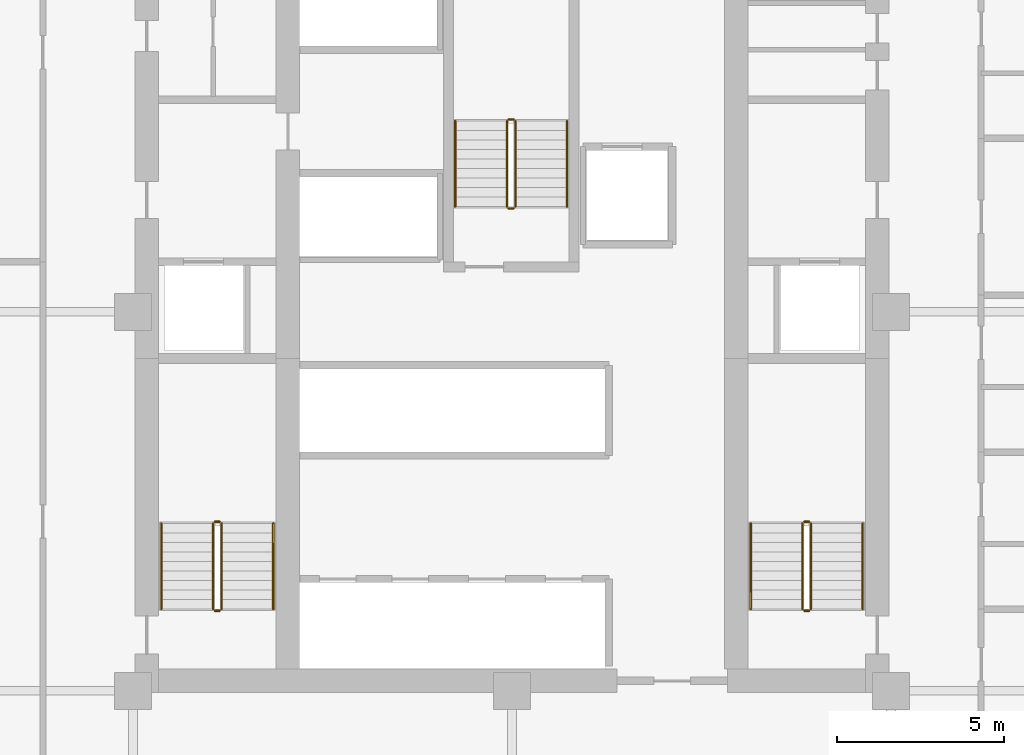
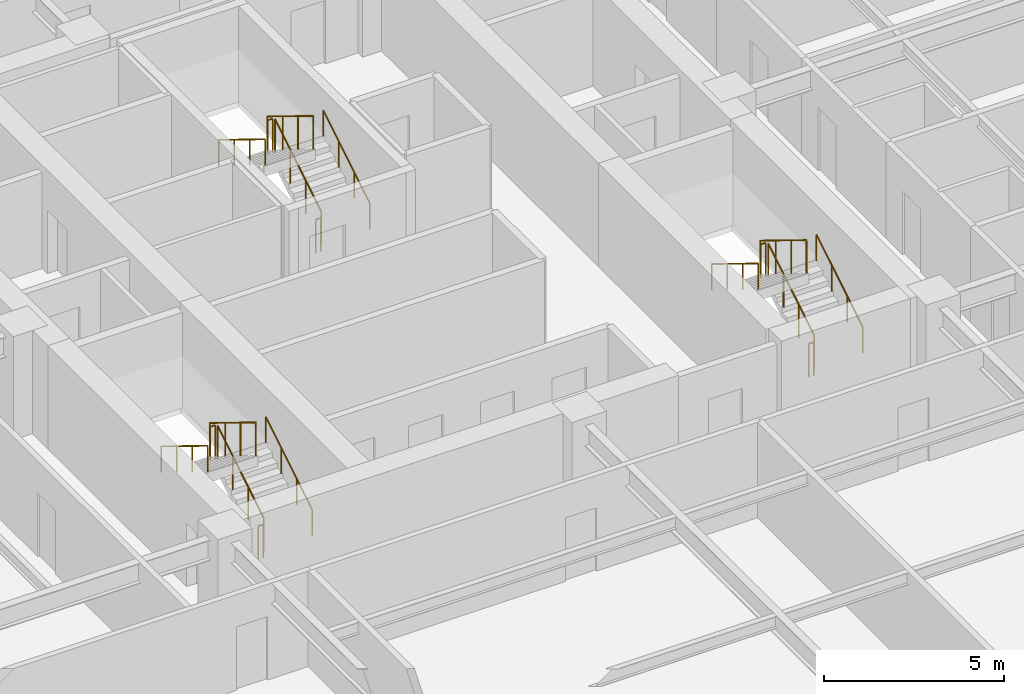
# One storey, part 7 of 7: 18 railings.
"""IFC4 building model written with IfcOpenShell, lengths in metres."""

from ifc_helpers import new_model, si_unit, direction, frame, origin, origin_2d, place, context, subcontext, project, spatial, circle, extrude, material, type_object, element, save


model = new_model("IFC4")

# Units and contexts
model_context = context("Model", 3, precision=1e-05, world=origin(), true_north=direction((0.0, 1.0)))
body_context = subcontext(model_context, "Body", "Model", "MODEL_VIEW")
ifc_project = project(units=[si_unit("LENGTHUNIT", "METRE"), si_unit("AREAUNIT", "SQUARE_METRE"), si_unit("VOLUMEUNIT", "CUBIC_METRE"), si_unit("PLANEANGLEUNIT", "RADIAN"), si_unit("MASSUNIT", "GRAM", prefix="KILO")], contexts=[model_context])

# Site, building, storey
site_placement = place(None, origin())
site = spatial("IfcSite", under=ifc_project, at=site_placement, CompositionType="ELEMENT")
building_placement = place(site_placement, origin())
building = spatial("IfcBuilding", under=site, at=building_placement, Name="Nhamokura Convention Tower", CompositionType="ELEMENT")
storey_placement = place(building_placement, frame((0.0, 0.0, 73.85009765625)))
storey = spatial("IfcBuildingStorey", under=building, at=storey_placement, Name="L17", CompositionType="ELEMENT", Elevation=73.85009765625)

# Railings
ifc_material_1 = material(Name="Anodised bronze stainless steel", Category="steel")
railing_type_1 = type_object("IfcRailingType", Name="StairWallHandrail_900", PredefinedType="HANDRAIL", material=ifc_material_1)
railing_1_placement = place(storey_placement, frame((24.85009765625, 23.10009765625, 0.1748046875)))
element("IfcRailing", 1, at=railing_1_placement, inside=storey, type_object=railing_type_1, Name="L17 ST-01 stair handrail 1", PredefinedType="HANDRAIL", context=body_context, shape_type="SweptSolid", body=[
    extrude(circle(Radius=0.02392578125, at=origin_2d()), frame((0.0, 0.0, 0.8759765625), z_axis=(0.0, 0.85213695991, 0.523318833556), x_axis=(-1.0, 0.0, 0.0)), (0.0, 0.0, 1.0), 3.010009765625),
    extrude(circle(Radius=0.02099609375, at=origin_2d()), origin(), (0.0, 0.0, 1.0), 0.851806640625),
    extrude(circle(Radius=0.02099609375, at=origin_2d()), frame((0.0, 0.85498046875, 0.525146484375)), (0.0, 0.0, 1.0), 0.851806640625),
    extrude(circle(Radius=0.02099609375, at=origin_2d()), frame((0.0, 1.7099609375, 1.050048828125)), (0.0, 0.0, 1.0), 0.851806640625),
    extrude(circle(Radius=0.02099609375, at=origin_2d()), frame((0.0, 2.56494140625, 1.5751953125)), (0.0, 0.0, 1.0), 0.851806640625),
])
railing_2_placement = place(storey_placement, frame((21.5, 25.6650390625, 1.9248046875)))
element("IfcRailing", 2, at=railing_2_placement, inside=storey, type_object=railing_type_1, Name="L17 ST-01 stair handrail 2", PredefinedType="HANDRAIL", context=body_context, shape_type="SweptSolid", body=[
    extrude(circle(Radius=0.02392578125, at=origin_2d()), frame((0.0, 0.0, 0.8759765625), z_axis=(0.0, -0.85213695991, 0.523318833556), x_axis=(1.0, 0.0, 0.0)), (0.0, 0.0, 1.0), 3.010009765625),
    extrude(circle(Radius=0.02099609375, at=origin_2d()), origin(), (0.0, 0.0, 1.0), 0.851806640625),
    extrude(circle(Radius=0.02099609375, at=origin_2d()), frame((0.0, -0.85498046875, 0.525146484375)), (0.0, 0.0, 1.0), 0.851806640625),
    extrude(circle(Radius=0.02099609375, at=origin_2d()), frame((0.0, -1.7099609375, 1.050048828125)), (0.0, 0.0, 1.0), 0.851806640625),
    extrude(circle(Radius=0.02099609375, at=origin_2d()), frame((0.0, -2.56494140625, 1.5751953125)), (0.0, 0.0, 1.0), 0.851806640625),
])
railing_3_placement = place(storey_placement, frame((42.5, 23.10009765625, 0.1748046875)))
element("IfcRailing", 3, at=railing_3_placement, inside=storey, type_object=railing_type_1, Name="L17 ST-02 stair handrail 1", PredefinedType="HANDRAIL", context=body_context, shape_type="SweptSolid", body=[
    extrude(circle(Radius=0.02392578125, at=origin_2d()), frame((0.0, 0.0, 0.8759765625), z_axis=(0.0, 0.85213695991, 0.523318833556), x_axis=(-1.0, 0.0, 0.0)), (0.0, 0.0, 1.0), 3.010009765625),
    extrude(circle(Radius=0.02099609375, at=origin_2d()), origin(), (0.0, 0.0, 1.0), 0.851806640625),
    extrude(circle(Radius=0.02099609375, at=origin_2d()), frame((0.0, 0.85498046875, 0.525146484375)), (0.0, 0.0, 1.0), 0.851806640625),
    extrude(circle(Radius=0.02099609375, at=origin_2d()), frame((0.0, 1.7099609375, 1.050048828125)), (0.0, 0.0, 1.0), 0.851806640625),
    extrude(circle(Radius=0.02099609375, at=origin_2d()), frame((0.0, 2.56494140625, 1.5751953125)), (0.0, 0.0, 1.0), 0.851806640625),
])
railing_4_placement = place(storey_placement, frame((39.14990234375, 25.6650390625, 1.9248046875)))
element("IfcRailing", 4, at=railing_4_placement, inside=storey, type_object=railing_type_1, Name="L17 ST-02 stair handrail 2", PredefinedType="HANDRAIL", context=body_context, shape_type="SweptSolid", body=[
    extrude(circle(Radius=0.02392578125, at=origin_2d()), frame((0.0, 0.0, 0.8759765625), z_axis=(0.0, -0.85213695991, 0.523318833556), x_axis=(1.0, 0.0, 0.0)), (0.0, 0.0, 1.0), 3.010009765625),
    extrude(circle(Radius=0.02099609375, at=origin_2d()), origin(), (0.0, 0.0, 1.0), 0.851806640625),
    extrude(circle(Radius=0.02099609375, at=origin_2d()), frame((0.0, -0.85498046875, 0.525146484375)), (0.0, 0.0, 1.0), 0.851806640625),
    extrude(circle(Radius=0.02099609375, at=origin_2d()), frame((0.0, -1.7099609375, 1.050048828125)), (0.0, 0.0, 1.0), 0.851806640625),
    extrude(circle(Radius=0.02099609375, at=origin_2d()), frame((0.0, -2.56494140625, 1.5751953125)), (0.0, 0.0, 1.0), 0.851806640625),
])
railing_5_placement = place(storey_placement, frame((33.64990234375, 35.14990234375, 0.1748046875)))
element("IfcRailing", 5, at=railing_5_placement, inside=storey, type_object=railing_type_1, Name="L17 ST-03 stair handrail 1", PredefinedType="HANDRAIL", context=body_context, shape_type="SweptSolid", body=[
    extrude(circle(Radius=0.02392578125, at=origin_2d()), frame((0.0, 0.0, 0.8759765625), z_axis=(0.0, 0.852159170481, 0.523282665646), x_axis=(-1.0, 0.0, 0.0)), (0.0, 0.0, 1.0), 3.01025390625),
    extrude(circle(Radius=0.02099609375, at=origin_2d()), origin(), (0.0, 0.0, 1.0), 0.851806640625),
    extrude(circle(Radius=0.02099609375, at=origin_2d()), frame((0.0, 0.85498046875, 0.525146484375)), (0.0, 0.0, 1.0), 0.851806640625),
    extrude(circle(Radius=0.02099609375, at=origin_2d()), frame((0.0, 1.710205078125, 1.050048828125)), (0.0, 0.0, 1.0), 0.851806640625),
    extrude(circle(Radius=0.02099609375, at=origin_2d()), frame((0.0, 2.565185546875, 1.5751953125)), (0.0, 0.0, 1.0), 0.851806640625),
])
railing_6_placement = place(storey_placement, frame((30.300048828125, 37.715087890625, 1.9248046875)))
element("IfcRailing", 6, at=railing_6_placement, inside=storey, type_object=railing_type_1, Name="L17 ST-03 stair handrail 2", PredefinedType="HANDRAIL", context=body_context, shape_type="SweptSolid", body=[
    extrude(circle(Radius=0.02392578125, at=origin_2d()), frame((0.0, 0.0, 0.8759765625), z_axis=(0.0, -0.852159170481, 0.523282665646), x_axis=(1.0, 0.0, 0.0)), (0.0, 0.0, 1.0), 3.01025390625),
    extrude(circle(Radius=0.02099609375, at=origin_2d()), origin(), (0.0, 0.0, 1.0), 0.851806640625),
    extrude(circle(Radius=0.02099609375, at=origin_2d()), frame((0.0, -0.85498046875, 0.525146484375)), (0.0, 0.0, 1.0), 0.851806640625),
    extrude(circle(Radius=0.02099609375, at=origin_2d()), frame((0.0, -1.710205078125, 1.050048828125)), (0.0, 0.0, 1.0), 0.851806640625),
    extrude(circle(Radius=0.02099609375, at=origin_2d()), frame((0.0, -2.565185546875, 1.5751953125)), (0.0, 0.0, 1.0), 0.851806640625),
])
ifc_material_2 = material(Name="Painted tubular steel", Category="steel")
railing_type_2 = type_object("IfcRailingType", Name="StairWellGuardrail_1150", PredefinedType="GUARDRAIL", material=ifc_material_2)
railing_7_placement = place(storey_placement, frame((23.300048828125, 23.10009765625, 0.1748046875)))
element("IfcRailing", 7, at=railing_7_placement, inside=storey, type_object=railing_type_2, Name="L17 ST-01 stair guard 1", PredefinedType="GUARDRAIL", context=body_context, shape_type="SweptSolid", body=[
    extrude(circle(Radius=0.02392578125, at=origin_2d()), frame((0.0, 0.0, 1.1259765625), z_axis=(0.0, 0.85213695991, 0.523318833556), x_axis=(-1.0, 0.0, 0.0)), (0.0, 0.0, 1.0), 3.010009765625),
    extrude(circle(Radius=0.02099609375, at=origin_2d()), origin(), (0.0, 0.0, 1.0), 1.101806640625),
    extrude(circle(Radius=0.02099609375, at=origin_2d()), frame((0.0, 0.85498046875, 0.525146484375)), (0.0, 0.0, 1.0), 1.101806640625),
    extrude(circle(Radius=0.02099609375, at=origin_2d()), frame((0.0, 1.7099609375, 1.050048828125)), (0.0, 0.0, 1.0), 1.101806640625),
    extrude(circle(Radius=0.02099609375, at=origin_2d()), frame((0.0, 2.56494140625, 1.5751953125)), (0.0, 0.0, 1.0), 1.101806640625),
])
railing_8_placement = place(storey_placement, frame((23.25, 25.715087890625, 1.75)))
element("IfcRailing", 8, at=railing_8_placement, inside=storey, type_object=railing_type_2, Name="L17 ST-01 stair guard 2", PredefinedType="GUARDRAIL", context=body_context, shape_type="SweptSolid", body=[
    extrude(circle(Radius=0.02392578125, at=origin_2d()), frame((0.0, 0.0, 1.1259765625), z_axis=(-1.0, 0.0, 0.0), x_axis=(0.0, -1.0, 0.0)), (0.0, 0.0, 1.0), 0.14990234375),
    extrude(circle(Radius=0.02099609375, at=origin_2d()), origin(), (0.0, 0.0, 1.0), 1.101806640625),
    extrude(circle(Radius=0.02099609375, at=origin_2d()), frame((-0.14990234375, 0.0, 0.0)), (0.0, 0.0, 1.0), 1.101806640625),
])
railing_9_placement = place(storey_placement, frame((23.050048828125, 25.6650390625, 1.9248046875)))
element("IfcRailing", 9, at=railing_9_placement, inside=storey, type_object=railing_type_2, Name="L17 ST-01 stair guard 3", PredefinedType="GUARDRAIL", context=body_context, shape_type="SweptSolid", body=[
    extrude(circle(Radius=0.02392578125, at=origin_2d()), frame((0.0, 0.0, 1.1259765625), z_axis=(0.0, -0.85213695991, 0.523318833556), x_axis=(1.0, 0.0, 0.0)), (0.0, 0.0, 1.0), 3.010009765625),
    extrude(circle(Radius=0.02099609375, at=origin_2d()), origin(), (0.0, 0.0, 1.0), 1.101806640625),
    extrude(circle(Radius=0.02099609375, at=origin_2d()), frame((0.0, -0.85498046875, 0.525146484375)), (0.0, 0.0, 1.0), 1.101806640625),
    extrude(circle(Radius=0.02099609375, at=origin_2d()), frame((0.0, -1.7099609375, 1.050048828125)), (0.0, 0.0, 1.0), 1.101806640625),
    extrude(circle(Radius=0.02099609375, at=origin_2d()), frame((0.0, -2.56494140625, 1.5751953125)), (0.0, 0.0, 1.0), 1.101806640625),
])
railing_10_placement = place(storey_placement, frame((23.25, 23.050048828125, 0.0)))
element("IfcRailing", 10, at=railing_10_placement, inside=storey, type_object=railing_type_2, Name="L17 ST-01 stair guard 4", PredefinedType="GUARDRAIL", context=body_context, shape_type="SweptSolid", body=[
    extrude(circle(Radius=0.02392578125, at=origin_2d()), frame((0.0, 0.0, 1.1259765625), z_axis=(-1.0, 0.0, 0.0), x_axis=(0.0, -1.0, 0.0)), (0.0, 0.0, 1.0), 0.14990234375),
    extrude(circle(Radius=0.02099609375, at=origin_2d()), origin(), (0.0, 0.0, 1.0), 1.101806640625),
    extrude(circle(Radius=0.02099609375, at=origin_2d()), frame((-0.14990234375, 0.0, 0.0)), (0.0, 0.0, 1.0), 1.101806640625),
])
railing_11_placement = place(storey_placement, frame((40.949951171875, 23.10009765625, 0.1748046875)))
element("IfcRailing", 11, at=railing_11_placement, inside=storey, type_object=railing_type_2, Name="L17 ST-02 stair guard 1", PredefinedType="GUARDRAIL", context=body_context, shape_type="SweptSolid", body=[
    extrude(circle(Radius=0.02392578125, at=origin_2d()), frame((0.0, 0.0, 1.1259765625), z_axis=(0.0, 0.85213695991, 0.523318833556), x_axis=(-1.0, 0.0, 0.0)), (0.0, 0.0, 1.0), 3.010009765625),
    extrude(circle(Radius=0.02099609375, at=origin_2d()), origin(), (0.0, 0.0, 1.0), 1.101806640625),
    extrude(circle(Radius=0.02099609375, at=origin_2d()), frame((0.0, 0.85498046875, 0.525146484375)), (0.0, 0.0, 1.0), 1.101806640625),
    extrude(circle(Radius=0.02099609375, at=origin_2d()), frame((0.0, 1.7099609375, 1.050048828125)), (0.0, 0.0, 1.0), 1.101806640625),
    extrude(circle(Radius=0.02099609375, at=origin_2d()), frame((0.0, 2.56494140625, 1.5751953125)), (0.0, 0.0, 1.0), 1.101806640625),
])
railing_12_placement = place(storey_placement, frame((40.89990234375, 25.715087890625, 1.75)))
element("IfcRailing", 12, at=railing_12_placement, inside=storey, type_object=railing_type_2, Name="L17 ST-02 stair guard 2", PredefinedType="GUARDRAIL", context=body_context, shape_type="SweptSolid", body=[
    extrude(circle(Radius=0.02392578125, at=origin_2d()), frame((0.0, 0.0, 1.1259765625), z_axis=(-1.0, 0.0, 0.0), x_axis=(0.0, -1.0, 0.0)), (0.0, 0.0, 1.0), 0.14990234375),
    extrude(circle(Radius=0.02099609375, at=origin_2d()), origin(), (0.0, 0.0, 1.0), 1.101806640625),
    extrude(circle(Radius=0.02099609375, at=origin_2d()), frame((-0.14990234375, 0.0, 0.0)), (0.0, 0.0, 1.0), 1.101806640625),
])
railing_13_placement = place(storey_placement, frame((40.699951171875, 25.6650390625, 1.9248046875)))
element("IfcRailing", 13, at=railing_13_placement, inside=storey, type_object=railing_type_2, Name="L17 ST-02 stair guard 3", PredefinedType="GUARDRAIL", context=body_context, shape_type="SweptSolid", body=[
    extrude(circle(Radius=0.02392578125, at=origin_2d()), frame((0.0, 0.0, 1.1259765625), z_axis=(0.0, -0.85213695991, 0.523318833556), x_axis=(1.0, 0.0, 0.0)), (0.0, 0.0, 1.0), 3.010009765625),
    extrude(circle(Radius=0.02099609375, at=origin_2d()), origin(), (0.0, 0.0, 1.0), 1.101806640625),
    extrude(circle(Radius=0.02099609375, at=origin_2d()), frame((0.0, -0.85498046875, 0.525146484375)), (0.0, 0.0, 1.0), 1.101806640625),
    extrude(circle(Radius=0.02099609375, at=origin_2d()), frame((0.0, -1.7099609375, 1.050048828125)), (0.0, 0.0, 1.0), 1.101806640625),
    extrude(circle(Radius=0.02099609375, at=origin_2d()), frame((0.0, -2.56494140625, 1.5751953125)), (0.0, 0.0, 1.0), 1.101806640625),
])
railing_14_placement = place(storey_placement, frame((40.89990234375, 23.050048828125, 0.0)))
element("IfcRailing", 14, at=railing_14_placement, inside=storey, type_object=railing_type_2, Name="L17 ST-02 stair guard 4", PredefinedType="GUARDRAIL", context=body_context, shape_type="SweptSolid", body=[
    extrude(circle(Radius=0.02392578125, at=origin_2d()), frame((0.0, 0.0, 1.1259765625), z_axis=(-1.0, 0.0, 0.0), x_axis=(0.0, -1.0, 0.0)), (0.0, 0.0, 1.0), 0.14990234375),
    extrude(circle(Radius=0.02099609375, at=origin_2d()), origin(), (0.0, 0.0, 1.0), 1.101806640625),
    extrude(circle(Radius=0.02099609375, at=origin_2d()), frame((-0.14990234375, 0.0, 0.0)), (0.0, 0.0, 1.0), 1.101806640625),
])
railing_15_placement = place(storey_placement, frame((32.10009765625, 35.14990234375, 0.1748046875)))
element("IfcRailing", 15, at=railing_15_placement, inside=storey, type_object=railing_type_2, Name="L17 ST-03 stair guard 1", PredefinedType="GUARDRAIL", context=body_context, shape_type="SweptSolid", body=[
    extrude(circle(Radius=0.02392578125, at=origin_2d()), frame((0.0, 0.0, 1.1259765625), z_axis=(0.0, 0.852159170481, 0.523282665646), x_axis=(-1.0, 0.0, 0.0)), (0.0, 0.0, 1.0), 3.01025390625),
    extrude(circle(Radius=0.02099609375, at=origin_2d()), origin(), (0.0, 0.0, 1.0), 1.101806640625),
    extrude(circle(Radius=0.02099609375, at=origin_2d()), frame((0.0, 0.85498046875, 0.525146484375)), (0.0, 0.0, 1.0), 1.101806640625),
    extrude(circle(Radius=0.02099609375, at=origin_2d()), frame((0.0, 1.710205078125, 1.050048828125)), (0.0, 0.0, 1.0), 1.101806640625),
    extrude(circle(Radius=0.02099609375, at=origin_2d()), frame((0.0, 2.565185546875, 1.5751953125)), (0.0, 0.0, 1.0), 1.101806640625),
])
railing_16_placement = place(storey_placement, frame((32.050048828125, 37.764892578125, 1.75)))
element("IfcRailing", 16, at=railing_16_placement, inside=storey, type_object=railing_type_2, Name="L17 ST-03 stair guard 2", PredefinedType="GUARDRAIL", context=body_context, shape_type="SweptSolid", body=[
    extrude(circle(Radius=0.02392578125, at=origin_2d()), frame((0.0, 0.0, 1.1259765625), z_axis=(-1.0, 0.0, 0.0), x_axis=(0.0, -1.0, 0.0)), (0.0, 0.0, 1.0), 0.150146484375),
    extrude(circle(Radius=0.02099609375, at=origin_2d()), origin(), (0.0, 0.0, 1.0), 1.101806640625),
    extrude(circle(Radius=0.02099609375, at=origin_2d()), frame((-0.150146484375, 0.0, 0.0)), (0.0, 0.0, 1.0), 1.101806640625),
])
railing_17_placement = place(storey_placement, frame((31.85009765625, 37.715087890625, 1.9248046875)))
element("IfcRailing", 17, at=railing_17_placement, inside=storey, type_object=railing_type_2, Name="L17 ST-03 stair guard 3", PredefinedType="GUARDRAIL", context=body_context, shape_type="SweptSolid", body=[
    extrude(circle(Radius=0.02392578125, at=origin_2d()), frame((0.0, 0.0, 1.1259765625), z_axis=(0.0, -0.852159170481, 0.523282665646), x_axis=(1.0, 0.0, 0.0)), (0.0, 0.0, 1.0), 3.01025390625),
    extrude(circle(Radius=0.02099609375, at=origin_2d()), origin(), (0.0, 0.0, 1.0), 1.101806640625),
    extrude(circle(Radius=0.02099609375, at=origin_2d()), frame((0.0, -0.85498046875, 0.525146484375)), (0.0, 0.0, 1.0), 1.101806640625),
    extrude(circle(Radius=0.02099609375, at=origin_2d()), frame((0.0, -1.710205078125, 1.050048828125)), (0.0, 0.0, 1.0), 1.101806640625),
    extrude(circle(Radius=0.02099609375, at=origin_2d()), frame((0.0, -2.565185546875, 1.5751953125)), (0.0, 0.0, 1.0), 1.101806640625),
])
railing_18_placement = place(storey_placement, frame((32.050048828125, 35.10009765625, 0.0)))
element("IfcRailing", 18, at=railing_18_placement, inside=storey, type_object=railing_type_2, Name="L17 ST-03 stair guard 4", PredefinedType="GUARDRAIL", context=body_context, shape_type="SweptSolid", body=[
    extrude(circle(Radius=0.02392578125, at=origin_2d()), frame((0.0, 0.0, 1.1259765625), z_axis=(-1.0, 0.0, 0.0), x_axis=(0.0, -1.0, 0.0)), (0.0, 0.0, 1.0), 0.150146484375),
    extrude(circle(Radius=0.02099609375, at=origin_2d()), origin(), (0.0, 0.0, 1.0), 1.101806640625),
    extrude(circle(Radius=0.02099609375, at=origin_2d()), frame((-0.150146484375, 0.0, 0.0)), (0.0, 0.0, 1.0), 1.101806640625),
])

save(model, "model.ifc")
